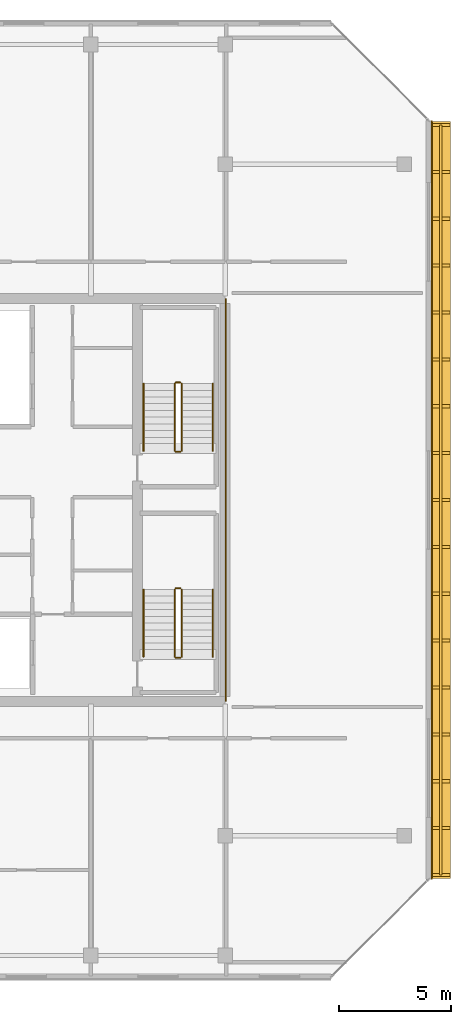
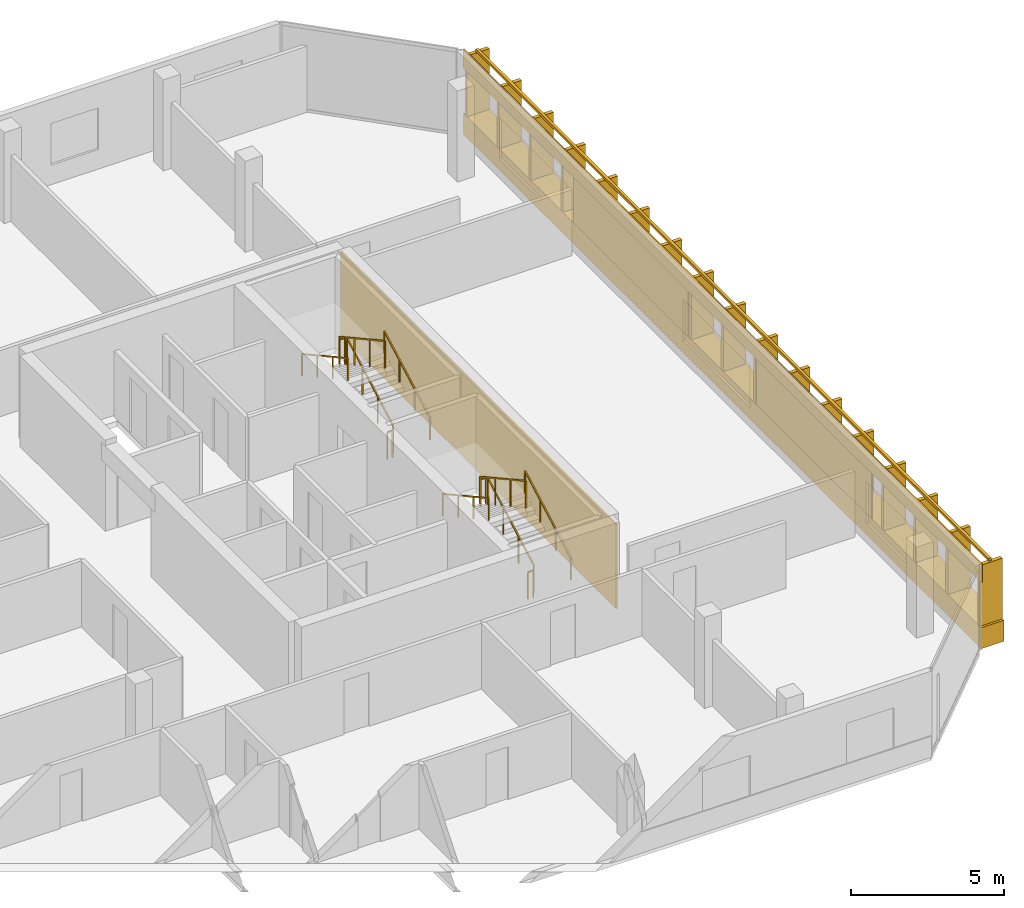
# One storey, part 28 of 28: 13 railings, 5 coverings.
"""IFC4 building model written with IfcOpenShell, lengths in metres."""

from ifc_helpers import new_model, si_unit, direction, frame, origin, origin_2d, place, context, subcontext, project, spatial, rectangle, extrude, material, layer, layer_set, type_object, element, save


model = new_model("IFC4")

# Units and contexts
model_context = context("Model", 3, precision=1e-05, world=origin(), true_north=direction((0.0, 1.0)))
body_context = subcontext(model_context, "Body", "Model", "MODEL_VIEW")
ifc_project = project(units=[si_unit("LENGTHUNIT", "METRE"), si_unit("AREAUNIT", "SQUARE_METRE"), si_unit("VOLUMEUNIT", "CUBIC_METRE"), si_unit("PLANEANGLEUNIT", "RADIAN"), si_unit("MASSUNIT", "GRAM", prefix="KILO")], contexts=[model_context])

# Site, building, storey
site_placement = place(None, origin())
site = spatial("IfcSite", under=ifc_project, at=site_placement, CompositionType="ELEMENT")
building_placement = place(site_placement, origin())
building = spatial("IfcBuilding", under=site, at=building_placement, Name="Tanjung Sevakor Pilgrim Tower", CompositionType="ELEMENT")
storey_placement = place(building_placement, frame((0.0, 0.0, 246.179931640625)))
storey = spatial("IfcBuildingStorey", under=building, at=storey_placement, Name="L69", CompositionType="ELEMENT", Elevation=246.179931640625)

# Coverings
ifc_material_1 = material(Name="Reconstructed Limestone Cladding", Category="masonry")
ifc_layer = layer(ifc_material_1, 0.044921875)
ifc_layer_set = layer_set([ifc_layer], Name="COV-CLAD-LIMESTONE")
covering_type = type_object("IfcCoveringType", Name="COV-CLAD-LIMESTONE", PredefinedType="CLADDING", material=ifc_layer_set)
covering_1_placement = place(storey_placement, frame((99.6298828125, 33.60009765625, 0.01025390625), z_axis=(0.0, 0.0, 1.0), x_axis=(0.0, 1.0, 0.0)))
element("IfcCovering", 1, at=covering_1_placement, inside=storey, type_object=covering_type, Name="L69 Warm Limestone Sill Spandrel EW-L69-EAST-3-1", PredefinedType="CLADDING", context=body_context, shape_type="SweptSolid", body=[
    extrude(rectangle(XDim=33.828857421875, YDim=0.860107421875, at=origin_2d()), origin(), (0.0, 0.0, 1.0), 0.840087890625),
])
covering_2_placement = place(storey_placement, frame((99.222412109375, 33.60009765625, 2.66015625), z_axis=(0.0, 0.0, 1.0), x_axis=(0.0, 1.0, 0.0)))
element("IfcCovering", 2, at=covering_2_placement, inside=storey, type_object=covering_type, Name="L69 Warm Limestone Cornice Spandrel EW-L69-EAST-3", PredefinedType="CLADDING", context=body_context, shape_type="SweptSolid", body=[
    extrude(rectangle(XDim=33.868896484375, YDim=0.044921875, at=origin_2d()), origin(), (0.0, 0.0, 1.0), 0.739990234375),
])
for number, where, z_axis, x_axis, name in (
    (3, (99.222412109375, 27.60888671875, 0.85009765625), (0.0, 0.0, 1.0), (0.0, 1.0, 0.0), "L69 Warm Limestone Pier Panel EW-L69-EAST-3-1"),
    (4, (99.222412109375, 39.591064453125, 0.85009765625), (0.0, 0.0, 1.0), (0.0, 1.0, 0.0), "L69 Warm Limestone Pier Panel EW-L69-EAST-3-2"),
):
    element("IfcCovering", number, at=place(storey_placement, frame(where, z_axis=z_axis, x_axis=x_axis)), inside=storey, type_object=covering_type, Name=name, PredefinedType="CLADDING", context=body_context, shape_type="SweptSolid", body=[
        extrude(rectangle(XDim=7.482177734375, YDim=0.044921875, at=origin_2d()), origin(), (0.0, 0.0, 1.0), 1.81005859375),
    ])
covering_3_placement = place(storey_placement, frame((90.0224609375, 33.60009765625, 0.02001953125), z_axis=(0.0, 0.0, 1.0), x_axis=(1.0, 0.0, 0.0)))
element("IfcCovering", 5, at=covering_3_placement, inside=storey, type_object=covering_type, Name="L69 Expressed Core Warm Limestone Cladding E", PredefinedType="CLADDING", context=body_context, shape_type="SweptSolid", body=[
    extrude(rectangle(XDim=0.044921875, YDim=18.0, at=origin_2d()), origin(), (0.0, 0.0, 1.0), 3.3701171875),
])

# Railings
ifc_material_2 = material(Name="Anodised Bronze Aluminium 6063-T6", Category="aluminium")
railing_type_1 = type_object("IfcRailingType", Name="RL-FIN-SCREEN", PredefinedType="BALUSTRADE", material=ifc_material_2)
railing_1_placement = place(storey_placement, frame((99.625, 16.845703125, 0.840087890625)))
element("IfcRailing", 6, at=railing_1_placement, inside=storey, type_object=railing_type_1, Name="L69 Vertical Bronze-Gold Solar Fin Screen FNEND-EW-L69-EAST-3-1", PredefinedType="BALUSTRADE", context=body_context, shape_type="SweptSolid", body=[
    extrude(rectangle(XDim=0.105, YDim=0.105), frame((0.0, 0.0, 2.487548828125), z_axis=(0.0, 1.0, 0.0), x_axis=(-1.0, 0.0, 0.0)), (0.0, 0.0, 1.0), 33.5087890625),
    extrude(rectangle(XDim=0.85, YDim=0.14), origin(), (0.0, 0.0, 1.0), 2.43505859375),
    extrude(rectangle(XDim=0.85, YDim=0.14), frame((0.0, 2.09423828125, 0.0)), (0.0, 0.0, 1.0), 2.43505859375),
    extrude(rectangle(XDim=0.85, YDim=0.14), frame((0.0, 4.1884765625, 0.0)), (0.0, 0.0, 1.0), 2.43505859375),
    extrude(rectangle(XDim=0.85, YDim=0.14), frame((0.0, 6.282958984375, 0.0)), (0.0, 0.0, 1.0), 2.43505859375),
    extrude(rectangle(XDim=0.85, YDim=0.14), frame((0.0, 8.377197265625, 0.0)), (0.0, 0.0, 1.0), 2.43505859375),
    extrude(rectangle(XDim=0.85, YDim=0.14), frame((0.0, 10.471435546875, 0.0)), (0.0, 0.0, 1.0), 2.43505859375),
    extrude(rectangle(XDim=0.85, YDim=0.14), frame((0.0, 12.56591796875, 0.0)), (0.0, 0.0, 1.0), 2.43505859375),
    extrude(rectangle(XDim=0.85, YDim=0.14), frame((0.0, 14.66015625, 0.0)), (0.0, 0.0, 1.0), 2.43505859375),
    extrude(rectangle(XDim=0.85, YDim=0.14), frame((0.0, 16.75439453125, 0.0)), (0.0, 0.0, 1.0), 2.43505859375),
    extrude(rectangle(XDim=0.85, YDim=0.14), frame((0.0, 18.8486328125, 0.0)), (0.0, 0.0, 1.0), 2.43505859375),
    extrude(rectangle(XDim=0.85, YDim=0.14), frame((0.0, 20.94287109375, 0.0)), (0.0, 0.0, 1.0), 2.43505859375),
    extrude(rectangle(XDim=0.85, YDim=0.14), frame((0.0, 23.037353515625, 0.0)), (0.0, 0.0, 1.0), 2.43505859375),
    extrude(rectangle(XDim=0.85, YDim=0.14), frame((0.0, 25.131591796875, 0.0)), (0.0, 0.0, 1.0), 2.43505859375),
    extrude(rectangle(XDim=0.85, YDim=0.14), frame((0.0, 27.225830078125, 0.0)), (0.0, 0.0, 1.0), 2.43505859375),
    extrude(rectangle(XDim=0.85, YDim=0.14), frame((0.0, 29.3203125, 0.0)), (0.0, 0.0, 1.0), 2.43505859375),
    extrude(rectangle(XDim=0.85, YDim=0.14), frame((0.0, 31.41455078125, 0.0)), (0.0, 0.0, 1.0), 2.43505859375),
    extrude(rectangle(XDim=0.85, YDim=0.14), frame((0.0, 33.5087890625, 0.0)), (0.0, 0.0, 1.0), 2.43505859375),
])
ifc_material_3 = material(Name="Steel S355J2", Category="steel")
railing_type_2 = type_object("IfcRailingType", Name="RL-STAIR-GUARD", PredefinedType="GUARDRAIL", material=ifc_material_3)
railing_2_placement = place(storey_placement, frame((88.050048828125, 26.60009765625, 0.1650390625)))
element("IfcRailing", 7, at=railing_2_placement, inside=storey, type_object=railing_type_2, Name="L69 TS-E1 stair guard 1", PredefinedType="GUARDRAIL", context=body_context, shape_type="SweptSolid", body=[
    extrude(rectangle(XDim=0.0479, YDim=0.0479), frame((0.0, 0.0, 1.076171875), z_axis=(0.0, 0.876197842262, 0.481951596342), x_axis=(-1.0, 0.0, 0.0)), (0.0, 0.0, 1.0), 3.423828125),
    extrude(rectangle(XDim=0.042, YDim=0.042), origin(), (0.0, 0.0, 1.0), 1.052001953125),
    extrude(rectangle(XDim=0.042, YDim=0.042), frame((0.0, 1.0, 0.550048828125)), (0.0, 0.0, 1.0), 1.052001953125),
    extrude(rectangle(XDim=0.042, YDim=0.042), frame((0.0, 2.0, 1.10009765625)), (0.0, 0.0, 1.0), 1.052001953125),
    extrude(rectangle(XDim=0.042, YDim=0.042), frame((0.0, 3.0, 1.650146484375)), (0.0, 0.0, 1.0), 1.052001953125),
])
railing_3_placement = place(storey_placement, frame((88.0, 29.64990234375, 1.815185546875)))
element("IfcRailing", 8, at=railing_3_placement, inside=storey, type_object=railing_type_2, Name="L69 TS-E1 stair guard 2", PredefinedType="GUARDRAIL", context=body_context, shape_type="SweptSolid", body=[
    extrude(rectangle(XDim=0.0479, YDim=0.0479), frame((0.0, 0.0, 1.076171875), z_axis=(-1.0, 0.0, 0.0), x_axis=(0.0, -1.0, 0.0)), (0.0, 0.0, 1.0), 0.199951171875),
    extrude(rectangle(XDim=0.042, YDim=0.042), origin(), (0.0, 0.0, 1.0), 1.052001953125),
    extrude(rectangle(XDim=0.042, YDim=0.042), frame((-0.199951171875, 0.0, 0.0)), (0.0, 0.0, 1.0), 1.052001953125),
])
railing_4_placement = place(storey_placement, frame((87.75, 29.60009765625, 1.97998046875)))
element("IfcRailing", 9, at=railing_4_placement, inside=storey, type_object=railing_type_2, Name="L69 TS-E1 stair guard 3", PredefinedType="GUARDRAIL", context=body_context, shape_type="SweptSolid", body=[
    extrude(rectangle(XDim=0.0479, YDim=0.0479), frame((0.0, 0.0, 1.076171875), z_axis=(0.0, -0.876197842262, 0.481951596342), x_axis=(1.0, 0.0, 0.0)), (0.0, 0.0, 1.0), 3.423828125),
    extrude(rectangle(XDim=0.042, YDim=0.042), origin(), (0.0, 0.0, 1.0), 1.052001953125),
    extrude(rectangle(XDim=0.042, YDim=0.042), frame((0.0, -1.0, 0.550048828125)), (0.0, 0.0, 1.0), 1.052001953125),
    extrude(rectangle(XDim=0.042, YDim=0.042), frame((0.0, -2.0, 1.10009765625)), (0.0, 0.0, 1.0), 1.052001953125),
    extrude(rectangle(XDim=0.042, YDim=0.042), frame((0.0, -3.0, 1.650146484375)), (0.0, 0.0, 1.0), 1.052001953125),
])
railing_5_placement = place(storey_placement, frame((88.0, 26.550048828125, 0.0)))
element("IfcRailing", 10, at=railing_5_placement, inside=storey, type_object=railing_type_2, Name="L69 TS-E1 stair guard 4", PredefinedType="GUARDRAIL", context=body_context, shape_type="SweptSolid", body=[
    extrude(rectangle(XDim=0.0479, YDim=0.0479), frame((0.0, 0.0, 1.076171875), z_axis=(-1.0, 0.0, 0.0), x_axis=(0.0, -1.0, 0.0)), (0.0, 0.0, 1.0), 0.199951171875),
    extrude(rectangle(XDim=0.042, YDim=0.042), origin(), (0.0, 0.0, 1.0), 1.052001953125),
    extrude(rectangle(XDim=0.042, YDim=0.042), frame((-0.199951171875, 0.0, 0.0)), (0.0, 0.0, 1.0), 1.052001953125),
])
railing_6_placement = place(storey_placement, frame((88.050048828125, 35.800048828125, 0.1650390625)))
element("IfcRailing", 11, at=railing_6_placement, inside=storey, type_object=railing_type_2, Name="L69 TS-E2 stair guard 1", PredefinedType="GUARDRAIL", context=body_context, shape_type="SweptSolid", body=[
    extrude(rectangle(XDim=0.0479, YDim=0.0479), frame((0.0, 0.0, 1.076171875), z_axis=(0.0, 0.876197842262, 0.481951596342), x_axis=(-1.0, 0.0, 0.0)), (0.0, 0.0, 1.0), 3.423828125),
    extrude(rectangle(XDim=0.042, YDim=0.042), origin(), (0.0, 0.0, 1.0), 1.052001953125),
    extrude(rectangle(XDim=0.042, YDim=0.042), frame((0.0, 1.0, 0.550048828125)), (0.0, 0.0, 1.0), 1.052001953125),
    extrude(rectangle(XDim=0.042, YDim=0.042), frame((0.0, 2.0, 1.10009765625)), (0.0, 0.0, 1.0), 1.052001953125),
    extrude(rectangle(XDim=0.042, YDim=0.042), frame((0.0, 3.0, 1.650146484375)), (0.0, 0.0, 1.0), 1.052001953125),
])
railing_7_placement = place(storey_placement, frame((88.0, 38.85009765625, 1.815185546875)))
element("IfcRailing", 12, at=railing_7_placement, inside=storey, type_object=railing_type_2, Name="L69 TS-E2 stair guard 2", PredefinedType="GUARDRAIL", context=body_context, shape_type="SweptSolid", body=[
    extrude(rectangle(XDim=0.0479, YDim=0.0479), frame((0.0, 0.0, 1.076171875), z_axis=(-1.0, 0.0, 0.0), x_axis=(0.0, -1.0, 0.0)), (0.0, 0.0, 1.0), 0.199951171875),
    extrude(rectangle(XDim=0.042, YDim=0.042), origin(), (0.0, 0.0, 1.0), 1.052001953125),
    extrude(rectangle(XDim=0.042, YDim=0.042), frame((-0.199951171875, 0.0, 0.0)), (0.0, 0.0, 1.0), 1.052001953125),
])
railing_8_placement = place(storey_placement, frame((87.75, 38.800048828125, 1.97998046875)))
element("IfcRailing", 13, at=railing_8_placement, inside=storey, type_object=railing_type_2, Name="L69 TS-E2 stair guard 3", PredefinedType="GUARDRAIL", context=body_context, shape_type="SweptSolid", body=[
    extrude(rectangle(XDim=0.0479, YDim=0.0479), frame((0.0, 0.0, 1.076171875), z_axis=(0.0, -0.876197842262, 0.481951596342), x_axis=(1.0, 0.0, 0.0)), (0.0, 0.0, 1.0), 3.423828125),
    extrude(rectangle(XDim=0.042, YDim=0.042), origin(), (0.0, 0.0, 1.0), 1.052001953125),
    extrude(rectangle(XDim=0.042, YDim=0.042), frame((0.0, -1.0, 0.550048828125)), (0.0, 0.0, 1.0), 1.052001953125),
    extrude(rectangle(XDim=0.042, YDim=0.042), frame((0.0, -2.0, 1.10009765625)), (0.0, 0.0, 1.0), 1.052001953125),
    extrude(rectangle(XDim=0.042, YDim=0.042), frame((0.0, -3.0, 1.650146484375)), (0.0, 0.0, 1.0), 1.052001953125),
])
railing_9_placement = place(storey_placement, frame((88.0, 35.75, 0.0)))
element("IfcRailing", 14, at=railing_9_placement, inside=storey, type_object=railing_type_2, Name="L69 TS-E2 stair guard 4", PredefinedType="GUARDRAIL", context=body_context, shape_type="SweptSolid", body=[
    extrude(rectangle(XDim=0.0479, YDim=0.0479), frame((0.0, 0.0, 1.076171875), z_axis=(-1.0, 0.0, 0.0), x_axis=(0.0, -1.0, 0.0)), (0.0, 0.0, 1.0), 0.199951171875),
    extrude(rectangle(XDim=0.042, YDim=0.042), origin(), (0.0, 0.0, 1.0), 1.052001953125),
    extrude(rectangle(XDim=0.042, YDim=0.042), frame((-0.199951171875, 0.0, 0.0)), (0.0, 0.0, 1.0), 1.052001953125),
])
ifc_material_4 = material(Name="Steel S355J2", Category="steel")
railing_type_3 = type_object("IfcRailingType", Name="RL-STAIR-HAND", PredefinedType="HANDRAIL", material=ifc_material_4)
railing_10_placement = place(storey_placement, frame((89.449951171875, 26.60009765625, 0.1650390625)))
element("IfcRailing", 15, at=railing_10_placement, inside=storey, type_object=railing_type_3, Name="L69 TS-E1 stair handrail 1", PredefinedType="HANDRAIL", context=body_context, shape_type="SweptSolid", body=[
    extrude(rectangle(XDim=0.0479, YDim=0.0479), frame((0.0, 0.0, 0.8759765625), z_axis=(0.0, 0.876197842262, 0.481951596342), x_axis=(-1.0, 0.0, 0.0)), (0.0, 0.0, 1.0), 3.423828125),
    extrude(rectangle(XDim=0.042, YDim=0.042), origin(), (0.0, 0.0, 1.0), 0.851806640625),
    extrude(rectangle(XDim=0.042, YDim=0.042), frame((0.0, 1.0, 0.550048828125)), (0.0, 0.0, 1.0), 0.851806640625),
    extrude(rectangle(XDim=0.042, YDim=0.042), frame((0.0, 2.0, 1.10009765625)), (0.0, 0.0, 1.0), 0.851806640625),
    extrude(rectangle(XDim=0.042, YDim=0.042), frame((0.0, 3.0, 1.650146484375)), (0.0, 0.0, 1.0), 0.851806640625),
])
railing_11_placement = place(storey_placement, frame((86.35009765625, 29.60009765625, 1.97998046875)))
element("IfcRailing", 16, at=railing_11_placement, inside=storey, type_object=railing_type_3, Name="L69 TS-E1 stair handrail 2", PredefinedType="HANDRAIL", context=body_context, shape_type="SweptSolid", body=[
    extrude(rectangle(XDim=0.0479, YDim=0.0479), frame((0.0, 0.0, 0.8759765625), z_axis=(0.0, -0.876197842262, 0.481951596342), x_axis=(1.0, 0.0, 0.0)), (0.0, 0.0, 1.0), 3.423828125),
    extrude(rectangle(XDim=0.042, YDim=0.042), origin(), (0.0, 0.0, 1.0), 0.851806640625),
    extrude(rectangle(XDim=0.042, YDim=0.042), frame((0.0, -1.0, 0.550048828125)), (0.0, 0.0, 1.0), 0.851806640625),
    extrude(rectangle(XDim=0.042, YDim=0.042), frame((0.0, -2.0, 1.10009765625)), (0.0, 0.0, 1.0), 0.851806640625),
    extrude(rectangle(XDim=0.042, YDim=0.042), frame((0.0, -3.0, 1.650146484375)), (0.0, 0.0, 1.0), 0.851806640625),
])
railing_12_placement = place(storey_placement, frame((89.449951171875, 35.800048828125, 0.1650390625)))
element("IfcRailing", 17, at=railing_12_placement, inside=storey, type_object=railing_type_3, Name="L69 TS-E2 stair handrail 1", PredefinedType="HANDRAIL", context=body_context, shape_type="SweptSolid", body=[
    extrude(rectangle(XDim=0.0479, YDim=0.0479), frame((0.0, 0.0, 0.8759765625), z_axis=(0.0, 0.876197842262, 0.481951596342), x_axis=(-1.0, 0.0, 0.0)), (0.0, 0.0, 1.0), 3.423828125),
    extrude(rectangle(XDim=0.042, YDim=0.042), origin(), (0.0, 0.0, 1.0), 0.851806640625),
    extrude(rectangle(XDim=0.042, YDim=0.042), frame((0.0, 1.0, 0.550048828125)), (0.0, 0.0, 1.0), 0.851806640625),
    extrude(rectangle(XDim=0.042, YDim=0.042), frame((0.0, 2.0, 1.10009765625)), (0.0, 0.0, 1.0), 0.851806640625),
    extrude(rectangle(XDim=0.042, YDim=0.042), frame((0.0, 3.0, 1.650146484375)), (0.0, 0.0, 1.0), 0.851806640625),
])
railing_13_placement = place(storey_placement, frame((86.35009765625, 38.800048828125, 1.97998046875)))
element("IfcRailing", 18, at=railing_13_placement, inside=storey, type_object=railing_type_3, Name="L69 TS-E2 stair handrail 2", PredefinedType="HANDRAIL", context=body_context, shape_type="SweptSolid", body=[
    extrude(rectangle(XDim=0.0479, YDim=0.0479), frame((0.0, 0.0, 0.8759765625), z_axis=(0.0, -0.876197842262, 0.481951596342), x_axis=(1.0, 0.0, 0.0)), (0.0, 0.0, 1.0), 3.423828125),
    extrude(rectangle(XDim=0.042, YDim=0.042), origin(), (0.0, 0.0, 1.0), 0.851806640625),
    extrude(rectangle(XDim=0.042, YDim=0.042), frame((0.0, -1.0, 0.550048828125)), (0.0, 0.0, 1.0), 0.851806640625),
    extrude(rectangle(XDim=0.042, YDim=0.042), frame((0.0, -2.0, 1.10009765625)), (0.0, 0.0, 1.0), 0.851806640625),
    extrude(rectangle(XDim=0.042, YDim=0.042), frame((0.0, -3.0, 1.650146484375)), (0.0, 0.0, 1.0), 0.851806640625),
])

save(model, "model.ifc")
